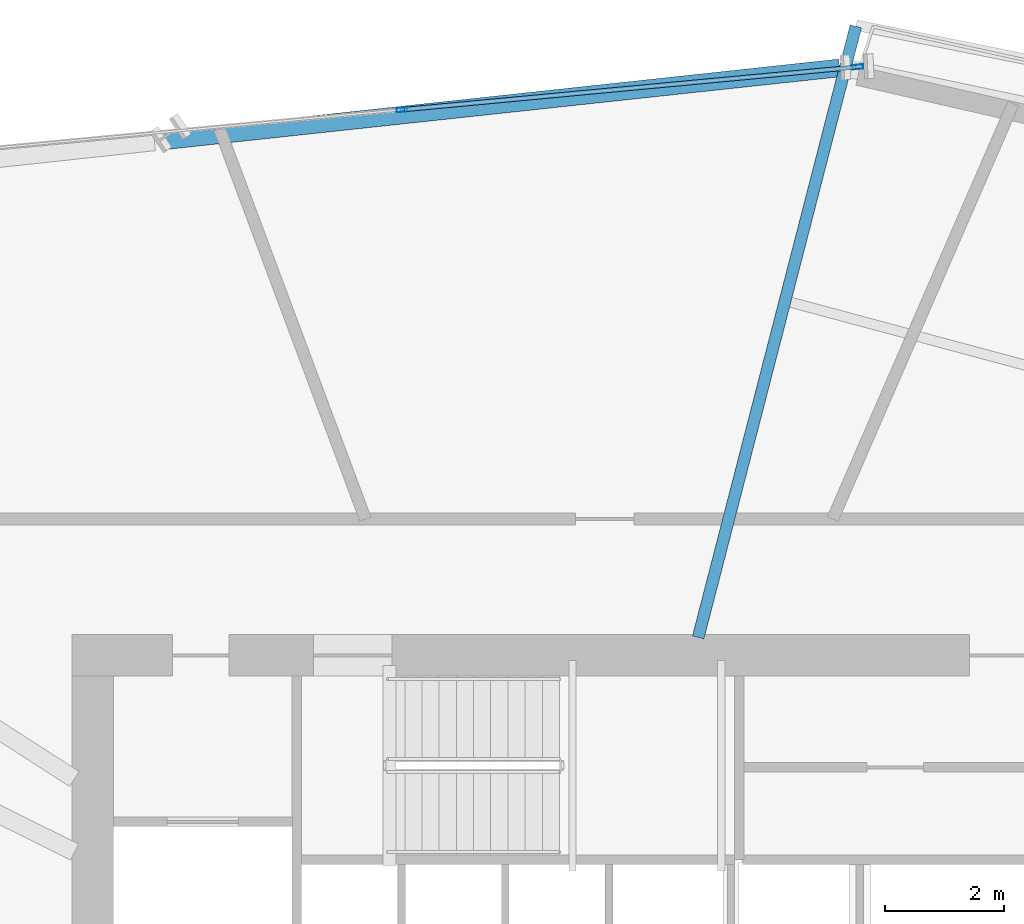
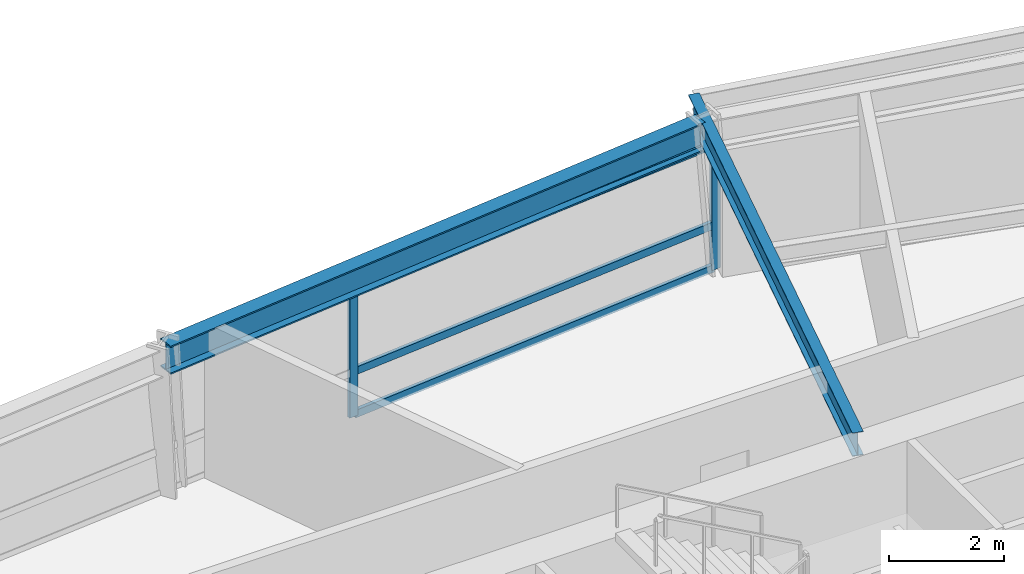
# One storey, part 7 of 17: 5 members, 2 beams, 1 element without a shape of its own.
"""IFC4 building model written with IfcOpenShell, lengths in metres."""

from ifc_helpers import new_model, si_unit, direction, frame, origin, origin_2d, place, context, subcontext, project, spatial, hollow_rectangle, i_section, extrude, source, transform, mapped, material, material_profile, profile_set, type_object, element, aggregate, save


model = new_model("IFC4")

# Units and contexts
model_context = context("Model", 3, precision=1e-05, world=origin(), true_north=direction((0.0, 1.0)))
body_context = subcontext(model_context, "Body", "Model", "MODEL_VIEW")
ifc_project = project(units=[si_unit("LENGTHUNIT", "METRE"), si_unit("AREAUNIT", "SQUARE_METRE"), si_unit("VOLUMEUNIT", "CUBIC_METRE"), si_unit("PLANEANGLEUNIT", "RADIAN"), si_unit("MASSUNIT", "GRAM", prefix="KILO")], contexts=[model_context])

# Site, building, storey
site_placement = place(None, origin())
site = spatial("IfcSite", under=ifc_project, at=site_placement, CompositionType="ELEMENT")
building_placement = place(site_placement, origin())
building = spatial("IfcBuilding", under=site, at=building_placement, Name="Olszyna Solenne Hotel", CompositionType="ELEMENT")
storey_placement = place(building_placement, frame((0.0, 0.0, 116.35009765625)))
storey = spatial("IfcBuildingStorey", under=building, at=storey_placement, Name="L30", CompositionType="ELEMENT", Elevation=116.35009765625)

# Beams
ifc_material_1 = material(Name="Steel S355J2", Category="steel")
ifc_material_profile_1 = material_profile(ifc_material_1, i_section(OverallWidth=0.300048828125, OverallDepth=0.60009765625, WebThickness=0.015380859375, FlangeThickness=0.030029296875, at=origin_2d()), Name="HEB 600", Category="load-bearing")
ifc_profile_set_1 = profile_set([ifc_material_profile_1], Name="Steel S355J2")
beam_type_1 = type_object("IfcBeamType", Name="BM-S2", PredefinedType="BEAM", material=ifc_profile_set_1)
shared_shape_1 = source(origin(), body_context, "Body", "SweptSolid", [
    extrude(i_section(OverallWidth=0.300048828125, OverallDepth=0.60009765625, WebThickness=0.015380859375, FlangeThickness=0.030029296875, at=origin_2d()), origin(), (0.0, 0.0, 1.0), 11.509765625),
])
beam_1_placement = place(storey_placement, frame((42.357177734375, 43.963623046875, 3.0), z_axis=(-0.994232504231, -0.107246107301, 0.0), x_axis=(0.107246107301, -0.994232504231, 0.0)))
element("IfcBeam", 1, at=beam_1_placement, inside=storey, type_object=beam_type_1, Name="Perimeter spandrel beam BM-S2 B-L30-0900", PredefinedType="BEAM", context=body_context, shape_type="MappedRepresentation", body=[
    mapped(shared_shape_1, transform((0.0, 0.0, 0.0), x_axis=(1.0, 0.0, 0.0), y_axis=(0.0, 1.0, 0.0), z_axis=(0.0, 0.0, 1.0), scale=1.0)),
])
ifc_material_profile_2 = material_profile(ifc_material_1, i_section(OverallWidth=0.199951171875, OverallDepth=0.5, WebThickness=0.01025390625, FlangeThickness=0.01611328125, at=origin_2d()), Name="IPE 500", Category="load-bearing")
ifc_profile_set_2 = profile_set([ifc_material_profile_2], Name="Steel S355J2")
beam_type_2 = type_object("IfcBeamType", Name="BM-F3", PredefinedType="BEAM", material=ifc_profile_set_2)
shared_shape_2 = source(origin(), body_context, "Body", "SweptSolid", [
    extrude(i_section(OverallWidth=0.199951171875, OverallDepth=0.5, WebThickness=0.01025390625, FlangeThickness=0.01611328125, at=origin_2d()), origin(), (0.0, 0.0, 1.0), 10.650146484375),
])
beam_2_placement = place(storey_placement, frame((42.6318359375, 44.6640625, 3.0498046875), z_axis=(-0.249821168114, -0.968291993131, 0.0), x_axis=(0.968291993131, -0.249821168114, 0.0)))
element("IfcBeam", 2, at=beam_2_placement, inside=storey, type_object=beam_type_2, Name="Radial floor girder BM-F3 B-L30-0912", PredefinedType="BEAM", context=body_context, shape_type="MappedRepresentation", body=[
    mapped(shared_shape_2, transform((0.0, 0.0, 0.0), x_axis=(1.0, 0.0, 0.0), y_axis=(0.0, 1.0, 0.0), z_axis=(0.0, 0.0, 1.0), scale=1.0)),
])

# Curtain wall, members
ifc_material_2 = material(Name="Anodised bronze aluminium", Category="aluminium")
curtain_wall_type = type_object("IfcCurtainWallType", Name="CW-SYS-3", PredefinedType="NOTDEFINED", material=ifc_material_2)
curtain_wall_placement = place(storey_placement, origin())
curtain_wall = element("IfcCurtainWall", 3, at=curtain_wall_placement, inside=storey, type_object=curtain_wall_type, Name="Unitised curtain wall CW-SYS-3 CW-L30-02", PredefinedType="NOTDEFINED")
ifc_material_profile_3 = material_profile(ifc_material_2, hollow_rectangle(XDim=0.074951171875, YDim=0.179931640625, WallThickness=0.00439453125, at=origin_2d()), Name="MULL 180x75x4.5", Category="load-bearing")
ifc_profile_set_3 = profile_set([ifc_material_profile_3], Name="Anodised bronze aluminium")
member_type_1 = type_object("IfcMemberType", Name="CW-M2", PredefinedType="MULLION", material=ifc_profile_set_3)
shared_shape_3 = source(origin(), body_context, "Body", "SweptSolid", [
    extrude(hollow_rectangle(XDim=0.074951171875, YDim=0.179931640625, WallThickness=0.00439453125, at=origin_2d()), origin(), (0.0, 0.0, 1.0), 2.69189453125),
])
member_1_placement = place(storey_placement, frame((34.974365234375, 43.25732421875, 0.0), z_axis=(0.0, 0.0, 1.0), x_axis=(-0.093582375447, 0.995611540213, 0.0)))
member_1 = element("IfcMember", 4, at=member_1_placement, type_object=member_type_1, Name="Curtain-wall mullion CW-M2 CM-L30-02-03", PredefinedType="MULLION", context=body_context, shape_type="MappedRepresentation", body=[
    mapped(shared_shape_3, transform((0.0, 0.0, 0.0), x_axis=(1.0, 0.0, 0.0), y_axis=(0.0, 1.0, 0.0), z_axis=(0.0, 0.0, 1.0), scale=1.0)),
])
member_2_placement = place(storey_placement, frame((42.66650390625, 43.980224609375, 0.0), z_axis=(0.0, 0.0, 1.0), x_axis=(-0.093582375447, 0.995611540213, 0.0)))
member_2 = element("IfcMember", 5, at=member_2_placement, type_object=member_type_1, Name="Curtain-wall mullion CW-M2 CM-L30-02-04", PredefinedType="MULLION", context=body_context, shape_type="MappedRepresentation", body=[
    mapped(shared_shape_3, transform((0.0, 0.0, 0.0), x_axis=(1.0, 0.0, 0.0), y_axis=(0.0, 1.0, 0.0), z_axis=(0.0, 0.0, 1.0), scale=1.0)),
])
ifc_material_profile_4 = material_profile(ifc_material_2, hollow_rectangle(XDim=0.074951171875, YDim=0.159912109375, WallThickness=0.00390625, at=origin_2d()), Name="TRAN 160x75x4", Category="load-bearing")
ifc_profile_set_4 = profile_set([ifc_material_profile_4], Name="Anodised bronze aluminium")
member_type_2 = type_object("IfcMemberType", Name="CW-T1", PredefinedType="USERDEFINED", material=ifc_profile_set_4)
shared_shape_4 = source(origin(), body_context, "Body", "SweptSolid", [
    extrude(hollow_rectangle(XDim=0.074951171875, YDim=0.159912109375, WallThickness=0.00390625, at=origin_2d()), origin(), (0.0, 0.0, 1.0), 7.651123046875),
])
member_3_placement = place(storey_placement, frame((35.01171875, 43.2607421875, 0.037353515625), z_axis=(0.995610748987, 0.09359079282, 0.0), x_axis=(-0.09359079282, 0.995610748987, 0.0)))
member_3 = element("IfcMember", 6, at=member_3_placement, type_object=member_type_2, Name="Curtain-wall transom CW-T1 CT-L30-02-07", ObjectType="TRANSOM", PredefinedType="USERDEFINED", context=body_context, shape_type="MappedRepresentation", body=[
    mapped(shared_shape_4, transform((0.0, 0.0, 0.0), x_axis=(1.0, 0.0, 0.0), y_axis=(0.0, 1.0, 0.0), z_axis=(0.0, 0.0, 1.0), scale=1.0)),
])
member_4_placement = place(storey_placement, frame((35.01171875, 43.2607421875, 0.949951171875), z_axis=(0.995610748987, 0.09359079282, 0.0), x_axis=(-0.09359079282, 0.995610748987, 0.0)))
member_4 = element("IfcMember", 7, at=member_4_placement, type_object=member_type_2, Name="Curtain-wall transom CW-T1 CT-L30-02-08", ObjectType="TRANSOM", PredefinedType="USERDEFINED", context=body_context, shape_type="MappedRepresentation", body=[
    mapped(shared_shape_4, transform((0.0, 0.0, 0.0), x_axis=(1.0, 0.0, 0.0), y_axis=(0.0, 1.0, 0.0), z_axis=(0.0, 0.0, 1.0), scale=1.0)),
])
member_5_placement = place(storey_placement, frame((35.01171875, 43.2607421875, 2.654296875), z_axis=(0.995610748987, 0.09359079282, 0.0), x_axis=(-0.09359079282, 0.995610748987, 0.0)))
member_5 = element("IfcMember", 8, at=member_5_placement, type_object=member_type_2, Name="Curtain-wall transom CW-T1 CT-L30-02-09", ObjectType="TRANSOM", PredefinedType="USERDEFINED", context=body_context, shape_type="MappedRepresentation", body=[
    mapped(shared_shape_4, transform((0.0, 0.0, 0.0), x_axis=(1.0, 0.0, 0.0), y_axis=(0.0, 1.0, 0.0), z_axis=(0.0, 0.0, 1.0), scale=1.0)),
])
aggregate(curtain_wall, [member_1, member_2, member_3, member_4, member_5])

save(model, "model.ifc")
